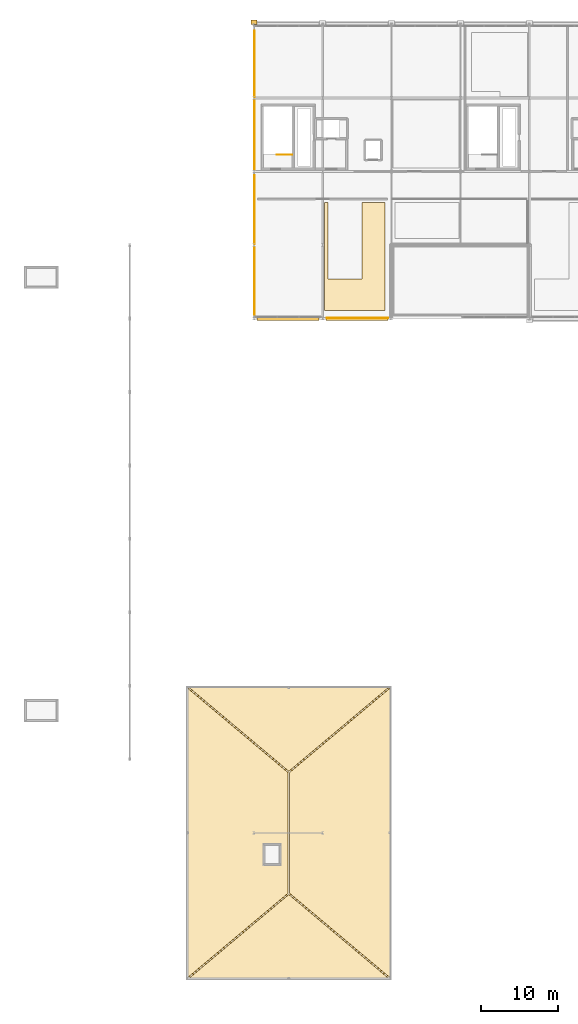
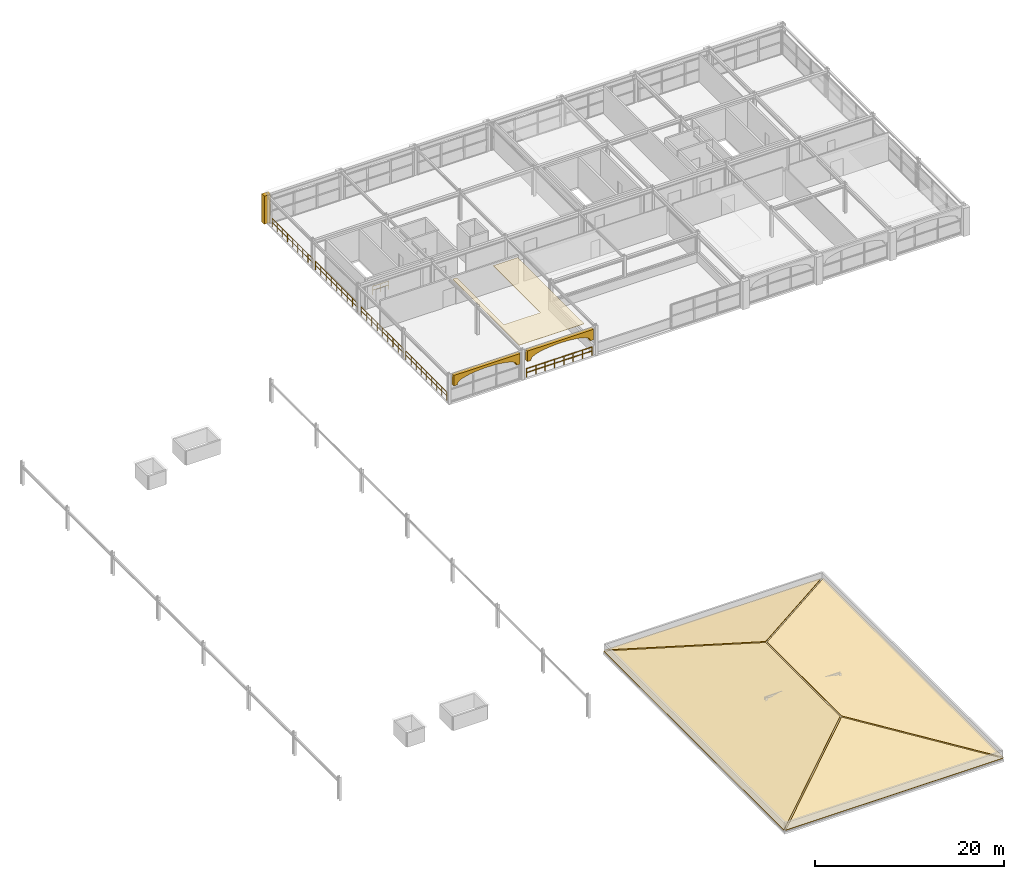
# One storey, part 24 of 25: 9 coverings, 6 railings.
"""IFC4 building model written with IfcOpenShell, lengths in metres."""

from ifc_helpers import new_model, si_unit, direction, frame, origin, origin_2d, place, context, subcontext, project, spatial, polyline, rectangle, outline, extrude, material, layer, layer_set, type_object, element, save


model = new_model("IFC4")

# Units and contexts
model_context = context("Model", 3, precision=1e-05, world=origin(), true_north=direction((0.0, 1.0)))
body_context = subcontext(model_context, "Body", "Model", "MODEL_VIEW")
ifc_project = project(units=[si_unit("LENGTHUNIT", "METRE"), si_unit("AREAUNIT", "SQUARE_METRE"), si_unit("VOLUMEUNIT", "CUBIC_METRE"), si_unit("PLANEANGLEUNIT", "RADIAN"), si_unit("MASSUNIT", "GRAM", prefix="KILO")], contexts=[model_context])

# Site, building, storey
site_placement = place(None, origin())
site = spatial("IfcSite", under=ifc_project, at=site_placement, CompositionType="ELEMENT")
building_placement = place(site_placement, origin())
building = spatial("IfcBuilding", under=site, at=building_placement, Name="Myrtia Square Station", CompositionType="ELEMENT")
storey_placement = place(building_placement, frame((0.0, 0.0, 18.89990234375)))
storey = spatial("IfcBuildingStorey", under=building, at=storey_placement, Name="L04", CompositionType="ELEMENT", Elevation=18.89990234375)

# Coverings
ifc_material_1 = material(Name="Pentelic marble ashlar", Category="masonry")
ifc_layer_1 = layer(ifc_material_1, 0.4599609375, Name="Pentelic marble ashlar")
ifc_layer_set_1 = layer_set([ifc_layer_1], Name="Pentelic marble ashlar")
covering_type_1 = type_object("IfcCoveringType", Name="COV-ARCH-ASHLAR", PredefinedType="CLADDING", material=ifc_layer_set_1)
covering_1_placement = place(storey_placement, frame((126.0, 125.1201171875, -0.0400390625), z_axis=(0.0, 0.0, 1.0), x_axis=(1.0, 0.0, 0.0)))
element("IfcCovering", 1, at=covering_1_placement, inside=storey, type_object=covering_type_1, Name="Classical Pentelic ashlar pilaster 067", PredefinedType="CLADDING", context=body_context, shape_type="SweptSolid", body=[
    extrude(rectangle(XDim=0.780029296875, YDim=0.56005859375, at=origin_2d()), origin(), (0.0, 0.0, 1.0), 3.639892578125),
])
for number, where, z_axis, x_axis, name in (
    (2, (126.449951171875, 86.35009765625, 2.25), (0.0, 0.0, 1.0), (1.0, 0.0, 0.0), "V5 attic loggia arch 078"),
    (3, (135.449951171875, 86.35009765625, 2.25), (0.0, 0.0, 1.0), (1.0, 0.0, 0.0), "V5 attic loggia arch 080"),
):
    element("IfcCovering", number, at=place(storey_placement, frame(where, z_axis=z_axis, x_axis=x_axis)), inside=storey, type_object=covering_type_1, Name=name, PredefinedType="CLADDING", context=body_context, shape_type="SweptSolid", body=[
        extrude(outline(polyline([(0.0, 0.0), (0.449951171875, 0.0), (0.449951171875, 0.150146484375), (0.519287109375, 0.31591796875), (0.72412109375, 0.475341796875), (1.056640625, 0.622314453125), (1.50439453125, 0.751220703125), (2.050048828125, 0.85693359375), (2.67236328125, 0.935302734375), (3.34765625, 0.98388671875), (4.050048828125, 1.0), (4.75244140625, 0.98388671875), (5.427734375, 0.935302734375), (6.050048828125, 0.85693359375), (6.595703125, 0.751220703125), (7.04345703125, 0.622314453125), (7.3759765625, 0.475341796875), (7.580810546875, 0.31591796875), (7.650146484375, 0.150146484375), (7.650146484375, 0.0), (8.10009765625, 0.0), (8.10009765625, 1.35009765625), (0.0, 1.35009765625), (0.0, 0.0)])), frame((0.0, 0.219970703125, 0.0), z_axis=(0.0, -1.0, 0.0), x_axis=(1.0, 0.0, 0.0)), (0.0, 0.0, 1.0), 0.43994140625),
    ])
ifc_material_2 = material(Name="Acoustic European oak timber", Category="wood")
ifc_layer_2 = layer(ifc_material_2, 0.044921875, Name="Acoustic European oak timber")
ifc_layer_set_2 = layer_set([ifc_layer_2], Name="Acoustic European oak timber")
covering_type_2 = type_object("IfcCoveringType", Name="COV-CEIL-OAK", PredefinedType="CEILING", material=ifc_layer_set_2)
covering_2_placement = place(storey_placement, frame((0.0, 0.0, 3.610107421875)))
element("IfcCovering", 4, at=covering_2_placement, inside=storey, type_object=covering_type_2, Name="Acoustic coffer ceiling L04-01", PredefinedType="CEILING", context=body_context, shape_type="SweptSolid", body=[
    extrude(outline(polyline([(135.699951171875, 101.550048828125), (135.699951171875, 91.550048828125), (140.159912109375, 91.550048828125), (140.159912109375, 101.550048828125), (143.14990234375, 101.550048828125), (143.14990234375, 87.449951171875), (135.219970703125, 87.449951171875), (135.219970703125, 95.949951171875), (135.218994140625, 95.9716796875), (135.2158203125, 95.992919921875), (135.214111328125, 96.0), (135.2158203125, 96.007080078125), (135.218994140625, 96.0283203125), (135.219970703125, 96.050048828125), (135.219970703125, 101.550048828125), (135.699951171875, 101.550048828125)])), origin(), (0.0, 0.0, 1.0), 0.044921875),
])
ifc_material_3 = material(Name="Waterproof elastomeric membrane")
ifc_layer_3 = layer(ifc_material_3, 0.044921875, Name="Waterproof elastomeric membrane")
ifc_layer_set_3 = layer_set([ifc_layer_3], Name="Waterproof elastomeric membrane")
covering_type_3 = type_object("IfcCoveringType", Name="COV-MEMB-FLAT", PredefinedType="ROOFING", material=ifc_layer_set_3)
covering_3_placement = place(storey_placement, origin())
element("IfcCovering", 5, at=covering_3_placement, inside=storey, type_object=covering_type_3, Name="Flat roof waterproof membrane ROOF-L04-V4", PredefinedType="ROOFING", context=body_context, shape_type="SweptSolid", body=[
    extrude(outline(polyline([(117.39990234375, 0.25), (143.75, 0.25), (143.75, 38.14990234375), (117.39990234375, 38.14990234375), (117.39990234375, 0.25)])), origin(), (0.0, 0.0, 1.0), 0.045166015625),
])
ifc_material_4 = material(Name="Terracotta clay barrel tiles", Category="masonry")
ifc_layer_4 = layer(ifc_material_4, 0.06494140625, Name="Terracotta clay barrel tiles")
ifc_layer_set_4 = layer_set([ifc_layer_4], Name="Terracotta clay barrel tiles")
covering_type_4 = type_object("IfcCoveringType", Name="COV-TILE-TERRACOTTA", PredefinedType="ROOFING", material=ifc_layer_set_4)
covering_4_placement = place(storey_placement, frame((117.134765625, 38.2890625, 0.25537109375), z_axis=(-0.235145353301, 0.0, 0.971960216686), x_axis=(0.0, -1.0, 0.0)))
element("IfcCovering", 6, at=covering_4_placement, inside=storey, type_object=covering_type_4, Name="Terracotta clay barrel-tile roofing 099", PredefinedType="ROOFING", context=body_context, shape_type="SweptSolid", body=[
    extrude(outline(polyline([(0.0, 0.0), (38.177978515625, 0.0), (26.972412109375, 13.724680826422677), (11.20556640625, 13.724680826422677), (0.0, 0.0)])), origin(), (0.0, 0.0, -1.0), 0.06494140625),
])
covering_5_placement = place(storey_placement, frame((144.015380859375, 0.111083984375, 0.25537109375), z_axis=(0.235141287788, 0.0, 0.971961200243), x_axis=(0.0, 1.0, 0.0)))
element("IfcCovering", 7, at=covering_5_placement, inside=storey, type_object=covering_type_4, Name="Terracotta clay barrel-tile roofing 100", PredefinedType="ROOFING", context=body_context, shape_type="SweptSolid", body=[
    extrude(outline(polyline([(0.0, 0.0), (38.177978515625, 0.0), (26.972412109375, 13.724918121517517), (11.20556640625, 13.724918121517517), (0.0, 0.0)])), origin(), (0.0, 0.0, -1.0), 0.06494140625),
])
covering_6_placement = place(storey_placement, frame((117.2822265625, -0.01806640625, 0.254638671875), z_axis=(0.0, -0.276771206356, 0.960935845586), x_axis=(1.0, 0.0, 0.0)))
element("IfcCovering", 8, at=covering_6_placement, inside=storey, type_object=covering_type_4, Name="Terracotta clay barrel-tile roofing 101", PredefinedType="ROOFING", context=body_context, shape_type="SweptSolid", body=[
    extrude(outline(polyline([(0.0, 0.0), (26.585693359375, 0.0), (13.292724609375, 11.619938704846868), (0.0, 0.0)])), origin(), (0.0, 0.0, -1.0), 0.06494140625),
])
covering_7_placement = place(storey_placement, frame((143.867919921875, 38.41796875, 0.254638671875), z_axis=(0.0, 0.276771206356, 0.960935845586), x_axis=(-1.0, 0.0, 0.0)))
element("IfcCovering", 9, at=covering_7_placement, inside=storey, type_object=covering_type_4, Name="Terracotta clay barrel-tile roofing 102", PredefinedType="ROOFING", context=body_context, shape_type="SweptSolid", body=[
    extrude(outline(polyline([(0.0, 0.0), (26.585693359375, 0.0), (13.29296875, 11.619938704846868), (0.0, 0.0)])), origin(), (0.0, 0.0, -1.0), 0.06494140625),
])

# Railings
ifc_material_5 = material(Name="Wrought iron", Category="steel")
railing_type = type_object("IfcRailingType", Name="RL-INT-GUARD-1100", PredefinedType="BALUSTRADE", material=ifc_material_5)
railing_1_placement = place(storey_placement, frame((131.010009765625, 107.800048828125, 0.0)))
element("IfcRailing", 10, at=railing_1_placement, inside=storey, type_object=railing_type, Name="L04 ST07 top well guard 1", PredefinedType="BALUSTRADE", context=body_context, shape_type="SweptSolid", body=[
    extrude(rectangle(XDim=0.048095703125, YDim=0.048095703125, at=origin_2d()), frame((-0.03466796875, 0.0, 1.09619140625), z_axis=(-1.0, 0.0, 0.0), x_axis=(0.0, -1.0, 0.0)), (0.0, 0.0, 1.0), 0.91064453125),
    extrude(rectangle(XDim=0.048095703125, YDim=0.048095703125, at=origin_2d()), frame((-0.03466796875, 0.0, 0.58251953125), z_axis=(-1.0, 0.0, 0.0), x_axis=(0.0, -1.0, 0.0)), (0.0, 0.0, 1.0), 0.91064453125),
    extrude(rectangle(XDim=0.048095703125, YDim=0.048095703125, at=origin_2d()), frame((-1.0146484375, 0.0, 1.09619140625), z_axis=(-1.0, 0.0, 0.0), x_axis=(0.0, -1.0, 0.0)), (0.0, 0.0, 1.0), 0.91064453125),
    extrude(rectangle(XDim=0.048095703125, YDim=0.048095703125, at=origin_2d()), frame((-1.0146484375, 0.0, 0.58251953125), z_axis=(-1.0, 0.0, 0.0), x_axis=(0.0, -1.0, 0.0)), (0.0, 0.0, 1.0), 0.91064453125),
    extrude(rectangle(XDim=0.0439453125, YDim=0.0439453125, at=origin_2d()), origin(), (0.0, 0.0, 1.0), 1.1201171875),
    extrude(rectangle(XDim=0.0439453125, YDim=0.0439453125, at=origin_2d()), frame((-0.97998046875, 0.0, 0.0)), (0.0, 0.0, 1.0), 1.1201171875),
    extrude(rectangle(XDim=0.0439453125, YDim=0.0439453125, at=origin_2d()), frame((-1.9599609375, 0.0, 0.0)), (0.0, 0.0, 1.0), 1.1201171875),
])
railing_2_placement = place(storey_placement, frame((135.534912109375, 86.47998046875, 0.0)))
element("IfcRailing", 11, at=railing_2_placement, inside=storey, type_object=railing_type, Name="Perimeter slab edge balustrade L04-064", PredefinedType="BALUSTRADE", context=body_context, shape_type="SweptSolid", body=[
    extrude(rectangle(XDim=0.048095703125, YDim=0.048095703125, at=origin_2d()), frame((0.03466796875, 0.0, 1.09619140625), z_axis=(1.0, 0.0, 0.0), x_axis=(0.0, 1.0, 0.0)), (0.0, 0.0, 1.0), 1.07177734375),
    extrude(rectangle(XDim=0.048095703125, YDim=0.048095703125, at=origin_2d()), frame((0.03466796875, 0.0, 0.58251953125), z_axis=(1.0, 0.0, 0.0), x_axis=(0.0, 1.0, 0.0)), (0.0, 0.0, 1.0), 1.07177734375),
    extrude(rectangle(XDim=0.048095703125, YDim=0.048095703125, at=origin_2d()), frame((1.175537109375, 0.0, 1.09619140625), z_axis=(1.0, 0.0, 0.0), x_axis=(0.0, 1.0, 0.0)), (0.0, 0.0, 1.0), 1.07177734375),
    extrude(rectangle(XDim=0.048095703125, YDim=0.048095703125, at=origin_2d()), frame((1.175537109375, 0.0, 0.58251953125), z_axis=(1.0, 0.0, 0.0), x_axis=(0.0, 1.0, 0.0)), (0.0, 0.0, 1.0), 1.07177734375),
    extrude(rectangle(XDim=0.048095703125, YDim=0.048095703125, at=origin_2d()), frame((2.316650390625, 0.0, 1.09619140625), z_axis=(1.0, 0.0, 0.0), x_axis=(0.0, 1.0, 0.0)), (0.0, 0.0, 1.0), 1.07177734375),
    extrude(rectangle(XDim=0.048095703125, YDim=0.048095703125, at=origin_2d()), frame((2.316650390625, 0.0, 0.58251953125), z_axis=(1.0, 0.0, 0.0), x_axis=(0.0, 1.0, 0.0)), (0.0, 0.0, 1.0), 1.07177734375),
    extrude(rectangle(XDim=0.048095703125, YDim=0.048095703125, at=origin_2d()), frame((3.457763671875, 0.0, 1.09619140625), z_axis=(1.0, 0.0, 0.0), x_axis=(0.0, 1.0, 0.0)), (0.0, 0.0, 1.0), 1.07177734375),
    extrude(rectangle(XDim=0.048095703125, YDim=0.048095703125, at=origin_2d()), frame((3.457763671875, 0.0, 0.58251953125), z_axis=(1.0, 0.0, 0.0), x_axis=(0.0, 1.0, 0.0)), (0.0, 0.0, 1.0), 1.07177734375),
    extrude(rectangle(XDim=0.048095703125, YDim=0.048095703125, at=origin_2d()), frame((4.5986328125, 0.0, 1.09619140625), z_axis=(1.0, 0.0, 0.0), x_axis=(0.0, 1.0, 0.0)), (0.0, 0.0, 1.0), 1.07177734375),
    extrude(rectangle(XDim=0.048095703125, YDim=0.048095703125, at=origin_2d()), frame((4.5986328125, 0.0, 0.58251953125), z_axis=(1.0, 0.0, 0.0), x_axis=(0.0, 1.0, 0.0)), (0.0, 0.0, 1.0), 1.07177734375),
    extrude(rectangle(XDim=0.048095703125, YDim=0.048095703125, at=origin_2d()), frame((5.73974609375, 0.0, 1.09619140625), z_axis=(1.0, 0.0, 0.0), x_axis=(0.0, 1.0, 0.0)), (0.0, 0.0, 1.0), 1.07177734375),
    extrude(rectangle(XDim=0.048095703125, YDim=0.048095703125, at=origin_2d()), frame((5.73974609375, 0.0, 0.58251953125), z_axis=(1.0, 0.0, 0.0), x_axis=(0.0, 1.0, 0.0)), (0.0, 0.0, 1.0), 1.07177734375),
    extrude(rectangle(XDim=0.048095703125, YDim=0.048095703125, at=origin_2d()), frame((6.880615234375, 0.0, 1.09619140625), z_axis=(1.0, 0.0, 0.0), x_axis=(0.0, 1.0, 0.0)), (0.0, 0.0, 1.0), 1.07177734375),
    extrude(rectangle(XDim=0.048095703125, YDim=0.048095703125, at=origin_2d()), frame((6.880615234375, 0.0, 0.58251953125), z_axis=(1.0, 0.0, 0.0), x_axis=(0.0, 1.0, 0.0)), (0.0, 0.0, 1.0), 1.07177734375),
    extrude(rectangle(XDim=0.0439453125, YDim=0.0439453125, at=origin_2d()), origin(), (0.0, 0.0, 1.0), 1.1201171875),
    extrude(rectangle(XDim=0.0439453125, YDim=0.0439453125, at=origin_2d()), frame((1.14111328125, 0.0, 0.0)), (0.0, 0.0, 1.0), 1.1201171875),
    extrude(rectangle(XDim=0.0439453125, YDim=0.0439453125, at=origin_2d()), frame((2.281982421875, 0.0, 0.0)), (0.0, 0.0, 1.0), 1.1201171875),
    extrude(rectangle(XDim=0.0439453125, YDim=0.0439453125, at=origin_2d()), frame((3.423095703125, 0.0, 0.0)), (0.0, 0.0, 1.0), 1.1201171875),
    extrude(rectangle(XDim=0.0439453125, YDim=0.0439453125, at=origin_2d()), frame((4.56396484375, 0.0, 0.0)), (0.0, 0.0, 1.0), 1.1201171875),
    extrude(rectangle(XDim=0.0439453125, YDim=0.0439453125, at=origin_2d()), frame((5.705078125, 0.0, 0.0)), (0.0, 0.0, 1.0), 1.1201171875),
    extrude(rectangle(XDim=0.0439453125, YDim=0.0439453125, at=origin_2d()), frame((6.845947265625, 0.0, 0.0)), (0.0, 0.0, 1.0), 1.1201171875),
    extrude(rectangle(XDim=0.0439453125, YDim=0.0439453125, at=origin_2d()), frame((7.987060546875, 0.0, 0.0)), (0.0, 0.0, 1.0), 1.1201171875),
])
railing_3_placement = place(storey_placement, frame((126.080078125, 124.00390625, 0.0)))
element("IfcRailing", 12, at=railing_3_placement, inside=storey, type_object=railing_type, Name="Perimeter slab edge balustrade L04-065", PredefinedType="BALUSTRADE", context=body_context, shape_type="SweptSolid", body=[
    extrude(rectangle(XDim=0.048095703125, YDim=0.048095703125, at=origin_2d()), frame((0.0, -0.03466796875, 1.09619140625), z_axis=(0.0, -1.0, 0.0), x_axis=(1.0, 0.0, 0.0)), (0.0, 0.0, 1.0), 1.018798828125),
    extrude(rectangle(XDim=0.048095703125, YDim=0.048095703125, at=origin_2d()), frame((0.0, -0.03466796875, 0.58251953125), z_axis=(0.0, -1.0, 0.0), x_axis=(1.0, 0.0, 0.0)), (0.0, 0.0, 1.0), 1.018798828125),
    extrude(rectangle(XDim=0.048095703125, YDim=0.048095703125, at=origin_2d()), frame((0.0, -1.122802734375, 1.09619140625), z_axis=(0.0, -1.0, 0.0), x_axis=(1.0, 0.0, 0.0)), (0.0, 0.0, 1.0), 1.018798828125),
    extrude(rectangle(XDim=0.048095703125, YDim=0.048095703125, at=origin_2d()), frame((0.0, -1.122802734375, 0.58251953125), z_axis=(0.0, -1.0, 0.0), x_axis=(1.0, 0.0, 0.0)), (0.0, 0.0, 1.0), 1.018798828125),
    extrude(rectangle(XDim=0.048095703125, YDim=0.048095703125, at=origin_2d()), frame((0.0, -2.2109375, 1.09619140625), z_axis=(0.0, -1.0, 0.0), x_axis=(1.0, 0.0, 0.0)), (0.0, 0.0, 1.0), 1.018798828125),
    extrude(rectangle(XDim=0.048095703125, YDim=0.048095703125, at=origin_2d()), frame((0.0, -2.2109375, 0.58251953125), z_axis=(0.0, -1.0, 0.0), x_axis=(1.0, 0.0, 0.0)), (0.0, 0.0, 1.0), 1.018798828125),
    extrude(rectangle(XDim=0.048095703125, YDim=0.048095703125, at=origin_2d()), frame((0.0, -3.299072265625, 1.09619140625), z_axis=(0.0, -1.0, 0.0), x_axis=(1.0, 0.0, 0.0)), (0.0, 0.0, 1.0), 1.018798828125),
    extrude(rectangle(XDim=0.048095703125, YDim=0.048095703125, at=origin_2d()), frame((0.0, -3.299072265625, 0.58251953125), z_axis=(0.0, -1.0, 0.0), x_axis=(1.0, 0.0, 0.0)), (0.0, 0.0, 1.0), 1.018798828125),
    extrude(rectangle(XDim=0.048095703125, YDim=0.048095703125, at=origin_2d()), frame((0.0, -4.386962890625, 1.09619140625), z_axis=(0.0, -1.0, 0.0), x_axis=(1.0, 0.0, 0.0)), (0.0, 0.0, 1.0), 1.018798828125),
    extrude(rectangle(XDim=0.048095703125, YDim=0.048095703125, at=origin_2d()), frame((0.0, -4.386962890625, 0.58251953125), z_axis=(0.0, -1.0, 0.0), x_axis=(1.0, 0.0, 0.0)), (0.0, 0.0, 1.0), 1.018798828125),
    extrude(rectangle(XDim=0.048095703125, YDim=0.048095703125, at=origin_2d()), frame((0.0, -5.47509765625, 1.09619140625), z_axis=(0.0, -1.0, 0.0), x_axis=(1.0, 0.0, 0.0)), (0.0, 0.0, 1.0), 1.018798828125),
    extrude(rectangle(XDim=0.048095703125, YDim=0.048095703125, at=origin_2d()), frame((0.0, -5.47509765625, 0.58251953125), z_axis=(0.0, -1.0, 0.0), x_axis=(1.0, 0.0, 0.0)), (0.0, 0.0, 1.0), 1.018798828125),
    extrude(rectangle(XDim=0.048095703125, YDim=0.048095703125, at=origin_2d()), frame((0.0, -6.563232421875, 1.09619140625), z_axis=(0.0, -1.0, 0.0), x_axis=(1.0, 0.0, 0.0)), (0.0, 0.0, 1.0), 1.018798828125),
    extrude(rectangle(XDim=0.048095703125, YDim=0.048095703125, at=origin_2d()), frame((0.0, -6.563232421875, 0.58251953125), z_axis=(0.0, -1.0, 0.0), x_axis=(1.0, 0.0, 0.0)), (0.0, 0.0, 1.0), 1.018798828125),
    extrude(rectangle(XDim=0.048095703125, YDim=0.048095703125, at=origin_2d()), frame((0.0, -7.6513671875, 1.09619140625), z_axis=(0.0, -1.0, 0.0), x_axis=(1.0, 0.0, 0.0)), (0.0, 0.0, 1.0), 1.018798828125),
    extrude(rectangle(XDim=0.048095703125, YDim=0.048095703125, at=origin_2d()), frame((0.0, -7.6513671875, 0.58251953125), z_axis=(0.0, -1.0, 0.0), x_axis=(1.0, 0.0, 0.0)), (0.0, 0.0, 1.0), 1.018798828125),
    extrude(rectangle(XDim=0.0439453125, YDim=0.0439453125, at=origin_2d()), origin(), (0.0, 0.0, 1.0), 1.1201171875),
    extrude(rectangle(XDim=0.0439453125, YDim=0.0439453125, at=origin_2d()), frame((0.0, -1.088134765625, 0.0)), (0.0, 0.0, 1.0), 1.1201171875),
    extrude(rectangle(XDim=0.0439453125, YDim=0.0439453125, at=origin_2d()), frame((0.0, -2.17626953125, 0.0)), (0.0, 0.0, 1.0), 1.1201171875),
    extrude(rectangle(XDim=0.0439453125, YDim=0.0439453125, at=origin_2d()), frame((0.0, -3.264404296875, 0.0)), (0.0, 0.0, 1.0), 1.1201171875),
    extrude(rectangle(XDim=0.0439453125, YDim=0.0439453125, at=origin_2d()), frame((0.0, -4.3525390625, 0.0)), (0.0, 0.0, 1.0), 1.1201171875),
    extrude(rectangle(XDim=0.0439453125, YDim=0.0439453125, at=origin_2d()), frame((0.0, -5.4404296875, 0.0)), (0.0, 0.0, 1.0), 1.1201171875),
    extrude(rectangle(XDim=0.0439453125, YDim=0.0439453125, at=origin_2d()), frame((0.0, -6.528564453125, 0.0)), (0.0, 0.0, 1.0), 1.1201171875),
    extrude(rectangle(XDim=0.0439453125, YDim=0.0439453125, at=origin_2d()), frame((0.0, -7.61669921875, 0.0)), (0.0, 0.0, 1.0), 1.1201171875),
    extrude(rectangle(XDim=0.0439453125, YDim=0.0439453125, at=origin_2d()), frame((0.0, -8.704833984375, 0.0)), (0.0, 0.0, 1.0), 1.1201171875),
])
railing_4_placement = place(storey_placement, frame((126.080078125, 114.802001953125, 0.0)))
element("IfcRailing", 13, at=railing_4_placement, inside=storey, type_object=railing_type, Name="Perimeter slab edge balustrade L04-066", PredefinedType="BALUSTRADE", context=body_context, shape_type="SweptSolid", body=[
    extrude(rectangle(XDim=0.048095703125, YDim=0.048095703125, at=origin_2d()), frame((0.0, -0.03466796875, 1.09619140625), z_axis=(0.0, -1.0, 0.0), x_axis=(1.0, 0.0, 0.0)), (0.0, 0.0, 1.0), 1.0498046875),
    extrude(rectangle(XDim=0.048095703125, YDim=0.048095703125, at=origin_2d()), frame((0.0, -0.03466796875, 0.58251953125), z_axis=(0.0, -1.0, 0.0), x_axis=(1.0, 0.0, 0.0)), (0.0, 0.0, 1.0), 1.0498046875),
    extrude(rectangle(XDim=0.048095703125, YDim=0.048095703125, at=origin_2d()), frame((0.0, -1.15380859375, 1.09619140625), z_axis=(0.0, -1.0, 0.0), x_axis=(1.0, 0.0, 0.0)), (0.0, 0.0, 1.0), 1.0498046875),
    extrude(rectangle(XDim=0.048095703125, YDim=0.048095703125, at=origin_2d()), frame((0.0, -1.15380859375, 0.58251953125), z_axis=(0.0, -1.0, 0.0), x_axis=(1.0, 0.0, 0.0)), (0.0, 0.0, 1.0), 1.0498046875),
    extrude(rectangle(XDim=0.048095703125, YDim=0.048095703125, at=origin_2d()), frame((0.0, -2.27294921875, 1.09619140625), z_axis=(0.0, -1.0, 0.0), x_axis=(1.0, 0.0, 0.0)), (0.0, 0.0, 1.0), 1.0498046875),
    extrude(rectangle(XDim=0.048095703125, YDim=0.048095703125, at=origin_2d()), frame((0.0, -2.27294921875, 0.58251953125), z_axis=(0.0, -1.0, 0.0), x_axis=(1.0, 0.0, 0.0)), (0.0, 0.0, 1.0), 1.0498046875),
    extrude(rectangle(XDim=0.048095703125, YDim=0.048095703125, at=origin_2d()), frame((0.0, -3.39208984375, 1.09619140625), z_axis=(0.0, -1.0, 0.0), x_axis=(1.0, 0.0, 0.0)), (0.0, 0.0, 1.0), 1.0498046875),
    extrude(rectangle(XDim=0.048095703125, YDim=0.048095703125, at=origin_2d()), frame((0.0, -3.39208984375, 0.58251953125), z_axis=(0.0, -1.0, 0.0), x_axis=(1.0, 0.0, 0.0)), (0.0, 0.0, 1.0), 1.0498046875),
    extrude(rectangle(XDim=0.048095703125, YDim=0.048095703125, at=origin_2d()), frame((0.0, -4.510986328125, 1.09619140625), z_axis=(0.0, -1.0, 0.0), x_axis=(1.0, 0.0, 0.0)), (0.0, 0.0, 1.0), 1.0498046875),
    extrude(rectangle(XDim=0.048095703125, YDim=0.048095703125, at=origin_2d()), frame((0.0, -4.510986328125, 0.58251953125), z_axis=(0.0, -1.0, 0.0), x_axis=(1.0, 0.0, 0.0)), (0.0, 0.0, 1.0), 1.0498046875),
    extrude(rectangle(XDim=0.048095703125, YDim=0.048095703125, at=origin_2d()), frame((0.0, -5.630126953125, 1.09619140625), z_axis=(0.0, -1.0, 0.0), x_axis=(1.0, 0.0, 0.0)), (0.0, 0.0, 1.0), 1.0498046875),
    extrude(rectangle(XDim=0.048095703125, YDim=0.048095703125, at=origin_2d()), frame((0.0, -5.630126953125, 0.58251953125), z_axis=(0.0, -1.0, 0.0), x_axis=(1.0, 0.0, 0.0)), (0.0, 0.0, 1.0), 1.0498046875),
    extrude(rectangle(XDim=0.048095703125, YDim=0.048095703125, at=origin_2d()), frame((0.0, -6.749267578125, 1.09619140625), z_axis=(0.0, -1.0, 0.0), x_axis=(1.0, 0.0, 0.0)), (0.0, 0.0, 1.0), 1.0498046875),
    extrude(rectangle(XDim=0.048095703125, YDim=0.048095703125, at=origin_2d()), frame((0.0, -6.749267578125, 0.58251953125), z_axis=(0.0, -1.0, 0.0), x_axis=(1.0, 0.0, 0.0)), (0.0, 0.0, 1.0), 1.0498046875),
    extrude(rectangle(XDim=0.048095703125, YDim=0.048095703125, at=origin_2d()), frame((0.0, -7.868408203125, 1.09619140625), z_axis=(0.0, -1.0, 0.0), x_axis=(1.0, 0.0, 0.0)), (0.0, 0.0, 1.0), 1.0498046875),
    extrude(rectangle(XDim=0.048095703125, YDim=0.048095703125, at=origin_2d()), frame((0.0, -7.868408203125, 0.58251953125), z_axis=(0.0, -1.0, 0.0), x_axis=(1.0, 0.0, 0.0)), (0.0, 0.0, 1.0), 1.0498046875),
    extrude(rectangle(XDim=0.0439453125, YDim=0.0439453125, at=origin_2d()), origin(), (0.0, 0.0, 1.0), 1.1201171875),
    extrude(rectangle(XDim=0.0439453125, YDim=0.0439453125, at=origin_2d()), frame((0.0, -1.119140625, 0.0)), (0.0, 0.0, 1.0), 1.1201171875),
    extrude(rectangle(XDim=0.0439453125, YDim=0.0439453125, at=origin_2d()), frame((0.0, -2.23828125, 0.0)), (0.0, 0.0, 1.0), 1.1201171875),
    extrude(rectangle(XDim=0.0439453125, YDim=0.0439453125, at=origin_2d()), frame((0.0, -3.357421875, 0.0)), (0.0, 0.0, 1.0), 1.1201171875),
    extrude(rectangle(XDim=0.0439453125, YDim=0.0439453125, at=origin_2d()), frame((0.0, -4.4765625, 0.0)), (0.0, 0.0, 1.0), 1.1201171875),
    extrude(rectangle(XDim=0.0439453125, YDim=0.0439453125, at=origin_2d()), frame((0.0, -5.595458984375, 0.0)), (0.0, 0.0, 1.0), 1.1201171875),
    extrude(rectangle(XDim=0.0439453125, YDim=0.0439453125, at=origin_2d()), frame((0.0, -6.714599609375, 0.0)), (0.0, 0.0, 1.0), 1.1201171875),
    extrude(rectangle(XDim=0.0439453125, YDim=0.0439453125, at=origin_2d()), frame((0.0, -7.833740234375, 0.0)), (0.0, 0.0, 1.0), 1.1201171875),
    extrude(rectangle(XDim=0.0439453125, YDim=0.0439453125, at=origin_2d()), frame((0.0, -8.952880859375, 0.0)), (0.0, 0.0, 1.0), 1.1201171875),
])
railing_5_placement = place(storey_placement, frame((126.080078125, 105.10302734375, 0.0)))
element("IfcRailing", 14, at=railing_5_placement, inside=storey, type_object=railing_type, Name="Perimeter slab edge balustrade L04-067", PredefinedType="BALUSTRADE", context=body_context, shape_type="SweptSolid", body=[
    extrude(rectangle(XDim=0.048095703125, YDim=0.048095703125, at=origin_2d()), frame((0.0, -0.03466796875, 1.09619140625), z_axis=(0.0, -1.0, 0.0), x_axis=(1.0, 0.0, 0.0)), (0.0, 0.0, 1.0), 1.050048828125),
    extrude(rectangle(XDim=0.048095703125, YDim=0.048095703125, at=origin_2d()), frame((0.0, -0.03466796875, 0.58251953125), z_axis=(0.0, -1.0, 0.0), x_axis=(1.0, 0.0, 0.0)), (0.0, 0.0, 1.0), 1.050048828125),
    extrude(rectangle(XDim=0.048095703125, YDim=0.048095703125, at=origin_2d()), frame((0.0, -1.15380859375, 1.09619140625), z_axis=(0.0, -1.0, 0.0), x_axis=(1.0, 0.0, 0.0)), (0.0, 0.0, 1.0), 1.050048828125),
    extrude(rectangle(XDim=0.048095703125, YDim=0.048095703125, at=origin_2d()), frame((0.0, -1.15380859375, 0.58251953125), z_axis=(0.0, -1.0, 0.0), x_axis=(1.0, 0.0, 0.0)), (0.0, 0.0, 1.0), 1.050048828125),
    extrude(rectangle(XDim=0.048095703125, YDim=0.048095703125, at=origin_2d()), frame((0.0, -2.273193359375, 1.09619140625), z_axis=(0.0, -1.0, 0.0), x_axis=(1.0, 0.0, 0.0)), (0.0, 0.0, 1.0), 1.050048828125),
    extrude(rectangle(XDim=0.048095703125, YDim=0.048095703125, at=origin_2d()), frame((0.0, -2.273193359375, 0.58251953125), z_axis=(0.0, -1.0, 0.0), x_axis=(1.0, 0.0, 0.0)), (0.0, 0.0, 1.0), 1.050048828125),
    extrude(rectangle(XDim=0.048095703125, YDim=0.048095703125, at=origin_2d()), frame((0.0, -3.392333984375, 1.09619140625), z_axis=(0.0, -1.0, 0.0), x_axis=(1.0, 0.0, 0.0)), (0.0, 0.0, 1.0), 1.050048828125),
    extrude(rectangle(XDim=0.048095703125, YDim=0.048095703125, at=origin_2d()), frame((0.0, -3.392333984375, 0.58251953125), z_axis=(0.0, -1.0, 0.0), x_axis=(1.0, 0.0, 0.0)), (0.0, 0.0, 1.0), 1.050048828125),
    extrude(rectangle(XDim=0.048095703125, YDim=0.048095703125, at=origin_2d()), frame((0.0, -4.51171875, 1.09619140625), z_axis=(0.0, -1.0, 0.0), x_axis=(1.0, 0.0, 0.0)), (0.0, 0.0, 1.0), 1.050048828125),
    extrude(rectangle(XDim=0.048095703125, YDim=0.048095703125, at=origin_2d()), frame((0.0, -4.51171875, 0.58251953125), z_axis=(0.0, -1.0, 0.0), x_axis=(1.0, 0.0, 0.0)), (0.0, 0.0, 1.0), 1.050048828125),
    extrude(rectangle(XDim=0.048095703125, YDim=0.048095703125, at=origin_2d()), frame((0.0, -5.630859375, 1.09619140625), z_axis=(0.0, -1.0, 0.0), x_axis=(1.0, 0.0, 0.0)), (0.0, 0.0, 1.0), 1.050048828125),
    extrude(rectangle(XDim=0.048095703125, YDim=0.048095703125, at=origin_2d()), frame((0.0, -5.630859375, 0.58251953125), z_axis=(0.0, -1.0, 0.0), x_axis=(1.0, 0.0, 0.0)), (0.0, 0.0, 1.0), 1.050048828125),
    extrude(rectangle(XDim=0.048095703125, YDim=0.048095703125, at=origin_2d()), frame((0.0, -6.750244140625, 1.09619140625), z_axis=(0.0, -1.0, 0.0), x_axis=(1.0, 0.0, 0.0)), (0.0, 0.0, 1.0), 1.050048828125),
    extrude(rectangle(XDim=0.048095703125, YDim=0.048095703125, at=origin_2d()), frame((0.0, -6.750244140625, 0.58251953125), z_axis=(0.0, -1.0, 0.0), x_axis=(1.0, 0.0, 0.0)), (0.0, 0.0, 1.0), 1.050048828125),
    extrude(rectangle(XDim=0.048095703125, YDim=0.048095703125, at=origin_2d()), frame((0.0, -7.869384765625, 1.09619140625), z_axis=(0.0, -1.0, 0.0), x_axis=(1.0, 0.0, 0.0)), (0.0, 0.0, 1.0), 1.050048828125),
    extrude(rectangle(XDim=0.048095703125, YDim=0.048095703125, at=origin_2d()), frame((0.0, -7.869384765625, 0.58251953125), z_axis=(0.0, -1.0, 0.0), x_axis=(1.0, 0.0, 0.0)), (0.0, 0.0, 1.0), 1.050048828125),
    extrude(rectangle(XDim=0.0439453125, YDim=0.0439453125, at=origin_2d()), origin(), (0.0, 0.0, 1.0), 1.1201171875),
    extrude(rectangle(XDim=0.0439453125, YDim=0.0439453125, at=origin_2d()), frame((0.0, -1.119140625, 0.0)), (0.0, 0.0, 1.0), 1.1201171875),
    extrude(rectangle(XDim=0.0439453125, YDim=0.0439453125, at=origin_2d()), frame((0.0, -2.238525390625, 0.0)), (0.0, 0.0, 1.0), 1.1201171875),
    extrude(rectangle(XDim=0.0439453125, YDim=0.0439453125, at=origin_2d()), frame((0.0, -3.35791015625, 0.0)), (0.0, 0.0, 1.0), 1.1201171875),
    extrude(rectangle(XDim=0.0439453125, YDim=0.0439453125, at=origin_2d()), frame((0.0, -4.47705078125, 0.0)), (0.0, 0.0, 1.0), 1.1201171875),
    extrude(rectangle(XDim=0.0439453125, YDim=0.0439453125, at=origin_2d()), frame((0.0, -5.59619140625, 0.0)), (0.0, 0.0, 1.0), 1.1201171875),
    extrude(rectangle(XDim=0.0439453125, YDim=0.0439453125, at=origin_2d()), frame((0.0, -6.715576171875, 0.0)), (0.0, 0.0, 1.0), 1.1201171875),
    extrude(rectangle(XDim=0.0439453125, YDim=0.0439453125, at=origin_2d()), frame((0.0, -7.8349609375, 0.0)), (0.0, 0.0, 1.0), 1.1201171875),
    extrude(rectangle(XDim=0.0439453125, YDim=0.0439453125, at=origin_2d()), frame((0.0, -8.9541015625, 0.0)), (0.0, 0.0, 1.0), 1.1201171875),
])
railing_6_placement = place(storey_placement, frame((126.080078125, 95.652099609375, 0.0)))
element("IfcRailing", 15, at=railing_6_placement, inside=storey, type_object=railing_type, Name="Perimeter slab edge balustrade L04-068", PredefinedType="BALUSTRADE", context=body_context, shape_type="SweptSolid", body=[
    extrude(rectangle(XDim=0.048095703125, YDim=0.048095703125, at=origin_2d()), frame((0.0, -0.03466796875, 1.09619140625), z_axis=(0.0, -1.0, 0.0), x_axis=(1.0, 0.0, 0.0)), (0.0, 0.0, 1.0), 1.018798828125),
    extrude(rectangle(XDim=0.048095703125, YDim=0.048095703125, at=origin_2d()), frame((0.0, -0.03466796875, 0.58251953125), z_axis=(0.0, -1.0, 0.0), x_axis=(1.0, 0.0, 0.0)), (0.0, 0.0, 1.0), 1.018798828125),
    extrude(rectangle(XDim=0.048095703125, YDim=0.048095703125, at=origin_2d()), frame((0.0, -1.122802734375, 1.09619140625), z_axis=(0.0, -1.0, 0.0), x_axis=(1.0, 0.0, 0.0)), (0.0, 0.0, 1.0), 1.018798828125),
    extrude(rectangle(XDim=0.048095703125, YDim=0.048095703125, at=origin_2d()), frame((0.0, -1.122802734375, 0.58251953125), z_axis=(0.0, -1.0, 0.0), x_axis=(1.0, 0.0, 0.0)), (0.0, 0.0, 1.0), 1.018798828125),
    extrude(rectangle(XDim=0.048095703125, YDim=0.048095703125, at=origin_2d()), frame((0.0, -2.2109375, 1.09619140625), z_axis=(0.0, -1.0, 0.0), x_axis=(1.0, 0.0, 0.0)), (0.0, 0.0, 1.0), 1.018798828125),
    extrude(rectangle(XDim=0.048095703125, YDim=0.048095703125, at=origin_2d()), frame((0.0, -2.2109375, 0.58251953125), z_axis=(0.0, -1.0, 0.0), x_axis=(1.0, 0.0, 0.0)), (0.0, 0.0, 1.0), 1.018798828125),
    extrude(rectangle(XDim=0.048095703125, YDim=0.048095703125, at=origin_2d()), frame((0.0, -3.299072265625, 1.09619140625), z_axis=(0.0, -1.0, 0.0), x_axis=(1.0, 0.0, 0.0)), (0.0, 0.0, 1.0), 1.018798828125),
    extrude(rectangle(XDim=0.048095703125, YDim=0.048095703125, at=origin_2d()), frame((0.0, -3.299072265625, 0.58251953125), z_axis=(0.0, -1.0, 0.0), x_axis=(1.0, 0.0, 0.0)), (0.0, 0.0, 1.0), 1.018798828125),
    extrude(rectangle(XDim=0.048095703125, YDim=0.048095703125, at=origin_2d()), frame((0.0, -4.38720703125, 1.09619140625), z_axis=(0.0, -1.0, 0.0), x_axis=(1.0, 0.0, 0.0)), (0.0, 0.0, 1.0), 1.018798828125),
    extrude(rectangle(XDim=0.048095703125, YDim=0.048095703125, at=origin_2d()), frame((0.0, -4.38720703125, 0.58251953125), z_axis=(0.0, -1.0, 0.0), x_axis=(1.0, 0.0, 0.0)), (0.0, 0.0, 1.0), 1.018798828125),
    extrude(rectangle(XDim=0.048095703125, YDim=0.048095703125, at=origin_2d()), frame((0.0, -5.475341796875, 1.09619140625), z_axis=(0.0, -1.0, 0.0), x_axis=(1.0, 0.0, 0.0)), (0.0, 0.0, 1.0), 1.018798828125),
    extrude(rectangle(XDim=0.048095703125, YDim=0.048095703125, at=origin_2d()), frame((0.0, -5.475341796875, 0.58251953125), z_axis=(0.0, -1.0, 0.0), x_axis=(1.0, 0.0, 0.0)), (0.0, 0.0, 1.0), 1.018798828125),
    extrude(rectangle(XDim=0.048095703125, YDim=0.048095703125, at=origin_2d()), frame((0.0, -6.5634765625, 1.09619140625), z_axis=(0.0, -1.0, 0.0), x_axis=(1.0, 0.0, 0.0)), (0.0, 0.0, 1.0), 1.018798828125),
    extrude(rectangle(XDim=0.048095703125, YDim=0.048095703125, at=origin_2d()), frame((0.0, -6.5634765625, 0.58251953125), z_axis=(0.0, -1.0, 0.0), x_axis=(1.0, 0.0, 0.0)), (0.0, 0.0, 1.0), 1.018798828125),
    extrude(rectangle(XDim=0.048095703125, YDim=0.048095703125, at=origin_2d()), frame((0.0, -7.651611328125, 1.09619140625), z_axis=(0.0, -1.0, 0.0), x_axis=(1.0, 0.0, 0.0)), (0.0, 0.0, 1.0), 1.018798828125),
    extrude(rectangle(XDim=0.048095703125, YDim=0.048095703125, at=origin_2d()), frame((0.0, -7.651611328125, 0.58251953125), z_axis=(0.0, -1.0, 0.0), x_axis=(1.0, 0.0, 0.0)), (0.0, 0.0, 1.0), 1.018798828125),
    extrude(rectangle(XDim=0.0439453125, YDim=0.0439453125, at=origin_2d()), origin(), (0.0, 0.0, 1.0), 1.1201171875),
    extrude(rectangle(XDim=0.0439453125, YDim=0.0439453125, at=origin_2d()), frame((0.0, -1.088134765625, 0.0)), (0.0, 0.0, 1.0), 1.1201171875),
    extrude(rectangle(XDim=0.0439453125, YDim=0.0439453125, at=origin_2d()), frame((0.0, -2.17626953125, 0.0)), (0.0, 0.0, 1.0), 1.1201171875),
    extrude(rectangle(XDim=0.0439453125, YDim=0.0439453125, at=origin_2d()), frame((0.0, -3.264404296875, 0.0)), (0.0, 0.0, 1.0), 1.1201171875),
    extrude(rectangle(XDim=0.0439453125, YDim=0.0439453125, at=origin_2d()), frame((0.0, -4.3525390625, 0.0)), (0.0, 0.0, 1.0), 1.1201171875),
    extrude(rectangle(XDim=0.0439453125, YDim=0.0439453125, at=origin_2d()), frame((0.0, -5.440673828125, 0.0)), (0.0, 0.0, 1.0), 1.1201171875),
    extrude(rectangle(XDim=0.0439453125, YDim=0.0439453125, at=origin_2d()), frame((0.0, -6.52880859375, 0.0)), (0.0, 0.0, 1.0), 1.1201171875),
    extrude(rectangle(XDim=0.0439453125, YDim=0.0439453125, at=origin_2d()), frame((0.0, -7.616943359375, 0.0)), (0.0, 0.0, 1.0), 1.1201171875),
    extrude(rectangle(XDim=0.0439453125, YDim=0.0439453125, at=origin_2d()), frame((0.0, -8.705078125, 0.0)), (0.0, 0.0, 1.0), 1.1201171875),
])

save(model, "model.ifc")
